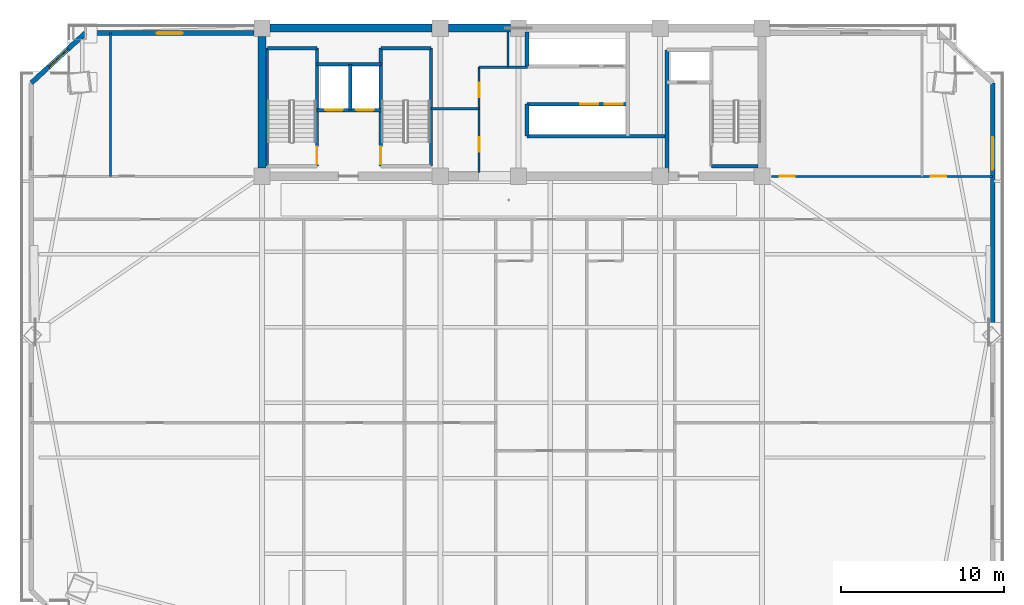
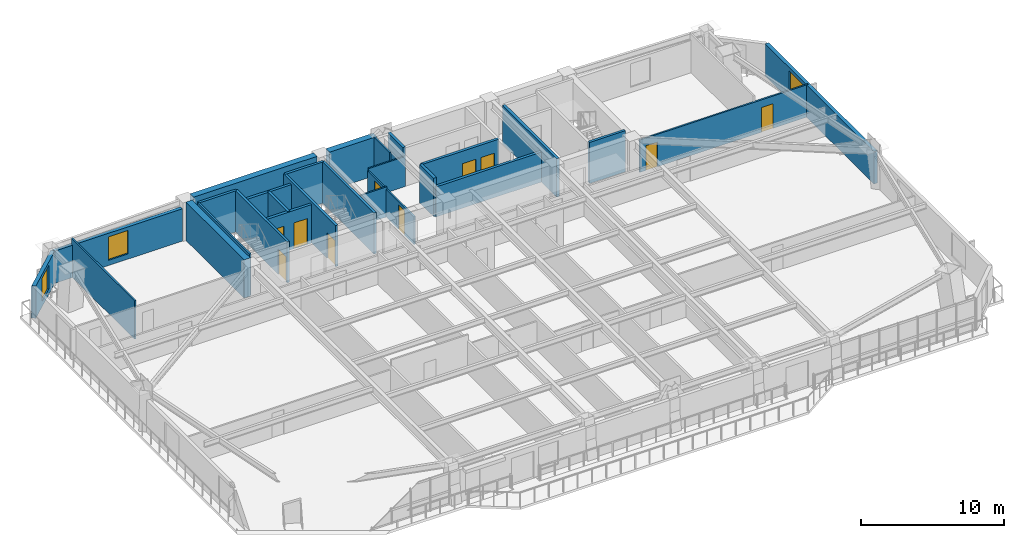
# One storey, part 9 of 16: 27 walls, 10 doors, 3 windows, 13 openings.
"""IFC4 building model written with IfcOpenShell, lengths in metres."""

from ifc_helpers import new_model, si_unit, direction, frame, frame_2d, origin, place, context, subcontext, project, spatial, rectangle, extrude, source, transform, mapped, material, layer, layer_set, type_object, element, fill, save


model = new_model("IFC4")

# Units and contexts
model_context = context("Model", 3, precision=1e-05, world=origin(), true_north=direction((0.0, 1.0)))
body_context = subcontext(model_context, "Body", "Model", "MODEL_VIEW")
ifc_project = project(units=[si_unit("LENGTHUNIT", "METRE"), si_unit("AREAUNIT", "SQUARE_METRE"), si_unit("VOLUMEUNIT", "CUBIC_METRE"), si_unit("PLANEANGLEUNIT", "RADIAN"), si_unit("MASSUNIT", "GRAM", prefix="KILO")], contexts=[model_context])

# Site, building, storey
site_placement = place(None, origin())
site = spatial("IfcSite", under=ifc_project, at=site_placement, CompositionType="ELEMENT")
building_placement = place(site_placement, origin())
building = spatial("IfcBuilding", under=site, at=building_placement, Name="Giltprow Tower", CompositionType="ELEMENT")
storey_placement = place(building_placement, frame((0.0, 0.0, 166.699951171875)))
storey = spatial("IfcBuildingStorey", under=building, at=storey_placement, Name="L41", CompositionType="ELEMENT", Elevation=166.699951171875)

# Wall, opening, window
ifc_material_1 = material(Name="Precast concrete C40", Category="concrete")
ifc_layer_1 = layer(ifc_material_1, 0.300048828125, Name="Precast concrete C40")
ifc_layer_set_1 = layer_set([ifc_layer_1], Name="Precast concrete C40")
wall_type_1 = type_object("IfcWallType", Name="EW-NOTCH-CHAMFER-300", PredefinedType="SOLIDWALL", material=ifc_layer_set_1)
wall_1_placement = place(storey_placement, frame((8.9970703125, 46.25, 0.0), z_axis=(0.0, 0.0, 1.0), x_axis=(-0.734267997056, -0.678859711943, 0.0)))
wall_1 = element("IfcWall", 1, at=wall_1_placement, inside=storey, type_object=wall_type_1, Name="L41 Corner Notch Wall NW", PredefinedType="SOLIDWALL", context=body_context, shape_type="SweptSolid", body=[
    extrude(rectangle(XDim=4.511962890625, YDim=0.300048828125, at=frame_2d((2.255859375, 0.0))), origin(), (0.0, 0.0, 1.0), 2.75),
])
opening_1_placement = place(wall_1_placement, frame((1.4560546875, 0.0, 0.449951171875)))
opening_1 = element("IfcOpeningElement", 2, at=opening_1_placement, cuts=wall_1, Name="Opening WN17", PredefinedType="OPENING", context=body_context, shape_type="SweptSolid", body=[
    extrude(rectangle(XDim=1.60009765625, YDim=2.0, at=frame_2d((0.800048828125, 1.0))), frame((0.0, 0.159912109375, 0.0), z_axis=(0.0, -1.0, 0.0), x_axis=(1.0, 0.0, 0.0)), (0.0, 0.0, 1.0), 0.320068359375),
])
ifc_material_2 = material(Name="Insulated glass", Category="glass")
window_type_1 = type_object("IfcWindowType", Name="WN-COR-1600x2000", PartitioningType="SINGLE_PANEL", PredefinedType="WINDOW", material=ifc_material_2)
shared_shape_1 = source(origin(), body_context, "Body", "SweptSolid", [
    extrude(rectangle(XDim=1.60009765625, YDim=2.0, at=frame_2d((0.800048828125, 1.0))), frame((0.0, 0.030029296875, 0.0), z_axis=(0.0, -1.0, 0.0), x_axis=(1.0, 0.0, 0.0)), (0.0, 0.0, 1.0), 0.06005859375),
])
window_1_placement = place(opening_1_placement, origin())
window_1 = element("IfcWindow", 3, at=window_1_placement, inside=storey, type_object=window_type_1, Name="L41 Corner Notch Window NW", OverallHeight=2.0, OverallWidth=1.60009765625, PartitioningType="SINGLE_PANEL", PredefinedType="WINDOW", context=body_context, shape_type="MappedRepresentation", body=[
    mapped(shared_shape_1, transform((0.0, 0.0, 0.0), x_axis=(1.0, 0.0, 0.0), y_axis=(0.0, 1.0, 0.0), z_axis=(0.0, 0.0, 1.0), scale=1.0)),
])
fill(opening_1, window_1)

ifc_layer_2 = layer(ifc_material_1, 0.280029296875, Name="Precast concrete C40")
ifc_layer_set_2 = layer_set([ifc_layer_2], Name="Precast concrete C40")
wall_type_2 = type_object("IfcWallType", Name="EW-TOW-BRONZE-280", PredefinedType="SOLIDWALL", material=ifc_layer_set_2)
wall_2_placement = place(storey_placement, frame((64.716064453125, 27.9990234375, 0.0), z_axis=(0.0, 0.0, 1.0), x_axis=(0.0, 1.0, 0.0)))
wall_2 = element("IfcWall", 4, at=wall_2_placement, inside=storey, type_object=wall_type_2, Name="L41 E Wing Masonry Wall 2", PredefinedType="SOLIDWALL", context=body_context, shape_type="SweptSolid", body=[
    extrude(rectangle(XDim=15.18798828125, YDim=0.280029296875, at=frame_2d((7.593994140625, 0.0))), origin(), (0.0, 0.0, 1.0), 2.75),
])
opening_2_placement = place(wall_2_placement, frame((9.85595703125, 0.0, 0.449951171875)))
opening_2 = element("IfcOpeningElement", 5, at=opening_2_placement, cuts=wall_2, Name="Opening WN21", PredefinedType="OPENING", context=body_context, shape_type="SweptSolid", body=[
    extrude(rectangle(XDim=2.0, YDim=2.0, at=frame_2d((1.0, 1.0))), frame((0.0, 0.14990234375, 0.0), z_axis=(0.0, -1.0, 0.0), x_axis=(1.0, 0.0, 0.0)), (0.0, 0.0, 1.0), 0.300048828125),
])
window_type_2 = type_object("IfcWindowType", Name="WN-HTL-2000x2000", PartitioningType="DOUBLE_PANEL_VERTICAL", PredefinedType="WINDOW", material=ifc_material_2)
shared_shape_2 = source(origin(), body_context, "Body", "SweptSolid", [
    extrude(rectangle(XDim=2.0, YDim=2.0, at=frame_2d((1.0, 1.0))), frame((0.0, 0.030029296875, 0.0), z_axis=(0.0, -1.0, 0.0), x_axis=(1.0, 0.0, 0.0)), (0.0, 0.0, 1.0), 0.06005859375),
])
window_2_placement = place(opening_2_placement, origin())
window_2 = element("IfcWindow", 6, at=window_2_placement, inside=storey, type_object=window_type_2, Name="L41 E Wing Window 2-1", OverallHeight=2.0, OverallWidth=2.0, PartitioningType="SINGLE_PANEL", PredefinedType="WINDOW", context=body_context, shape_type="MappedRepresentation", body=[
    mapped(shared_shape_2, transform((0.0, 0.0, 0.0), x_axis=(1.0, 0.0, 0.0), y_axis=(0.0, 1.0, 0.0), z_axis=(0.0, 0.0, 1.0), scale=1.0)),
])
fill(opening_2, window_2)

wall_3_placement = place(storey_placement, frame((8.9970703125, 46.25, 0.0), z_axis=(0.0, 0.0, 1.0), x_axis=(1.0, 0.0, 0.0)))
wall_3 = element("IfcWall", 7, at=wall_3_placement, inside=storey, type_object=wall_type_2, Name="L41 North-West Wing Wall", PredefinedType="SOLIDWALL", context=body_context, shape_type="SweptSolid", body=[
    extrude(rectangle(XDim=10.35302734375, YDim=0.280029296875, at=frame_2d((5.176513671875, 0.0))), origin(), (0.0, 0.0, 1.0), 2.75),
])
opening_3_placement = place(wall_3_placement, frame((4.376953125, 0.0, 0.449951171875)))
opening_3 = element("IfcOpeningElement", 8, at=opening_3_placement, cuts=wall_3, Name="Opening WN17", PredefinedType="OPENING", context=body_context, shape_type="SweptSolid", body=[
    extrude(rectangle(XDim=1.60009765625, YDim=2.0, at=frame_2d((0.800048828125, 1.0))), frame((0.0, 0.14990234375, 0.0), z_axis=(0.0, -1.0, 0.0), x_axis=(1.0, 0.0, 0.0)), (0.0, 0.0, 1.0), 0.300048828125),
])
window_3_placement = place(opening_3_placement, origin())
window_3 = element("IfcWindow", 9, at=window_3_placement, inside=storey, type_object=window_type_1, Name="L41 North-West Window", OverallHeight=2.0, OverallWidth=1.60009765625, PartitioningType="SINGLE_PANEL", PredefinedType="WINDOW", context=body_context, shape_type="MappedRepresentation", body=[
    mapped(shared_shape_1, transform((0.0, 0.0, 0.0), x_axis=(1.0, 0.0, 0.0), y_axis=(0.0, 1.0, 0.0), z_axis=(0.0, 0.0, 1.0), scale=1.0)),
])
fill(opening_3, window_3)

# Wall, openings, doors
ifc_material_3 = material(Name="Concrete C40", Category="concrete")
ifc_layer_3 = layer(ifc_material_3, 0.219970703125, Name="Concrete C40")
ifc_layer_set_3 = layer_set([ifc_layer_3], Name="Concrete C40")
wall_type_3 = type_object("IfcWallType", Name="IW-SHAFT-220", PredefinedType="SOLIDWALL", material=ifc_layer_set_3)
wall_4_placement = place(storey_placement, frame((23.219970703125, 41.52001953125, 0.0), z_axis=(0.0, 0.0, 1.0), x_axis=(1.0, 0.0, 0.0)))
wall_4 = element("IfcWall", 10, at=wall_4_placement, inside=storey, type_object=wall_type_3, Name="L41 FFL1 and Service Lift Front Wall", PredefinedType="SOLIDWALL", context=body_context, shape_type="SweptSolid", body=[
    extrude(rectangle(XDim=3.919921875, YDim=0.219970703125, at=frame_2d((1.9599609375, 0.0))), origin(), (0.0, 0.0, 1.0), 3.27001953125),
])
opening_4_placement = place(wall_4_placement, frame((0.5, 0.0, 0.0)))
opening_4 = element("IfcOpeningElement", 11, at=opening_4_placement, cuts=wall_4, Name="Opening LD-11", PredefinedType="OPENING", context=body_context, shape_type="SweptSolid", body=[
    extrude(rectangle(XDim=1.10009765625, YDim=2.199951171875, at=frame_2d((0.550048828125, 1.10009765625))), frame((0.0, 0.119873046875, 0.0), z_axis=(0.0, -1.0, 0.0), x_axis=(1.0, 0.0, 0.0)), (0.0, 0.0, 1.0), 0.239990234375),
])
opening_5_placement = place(wall_4_placement, frame((2.39990234375, 0.0, 0.0)))
opening_5 = element("IfcOpeningElement", 12, at=opening_5_placement, cuts=wall_4, Name="Opening LD-11", PredefinedType="OPENING", context=body_context, shape_type="SweptSolid", body=[
    extrude(rectangle(XDim=1.10009765625, YDim=2.199951171875, at=frame_2d((0.550048828125, 1.10009765625))), frame((0.0, 0.119873046875, 0.0), z_axis=(0.0, -1.0, 0.0), x_axis=(1.0, 0.0, 0.0)), (0.0, 0.0, 1.0), 0.239990234375),
])
ifc_material_4 = material(Name="Stainless steel", Category="steel")
door_type_1 = type_object("IfcDoorType", Name="DR-LIFT-LD1100", OperationType="SLIDING_TO_LEFT", PredefinedType="DOOR", material=ifc_material_4)
shared_shape_3 = source(origin(), body_context, "Body", "SweptSolid", [
    extrude(rectangle(XDim=1.10009765625, YDim=2.199951171875, at=frame_2d((0.550048828125, 1.10009765625))), frame((0.0, 0.02490234375, 0.0), z_axis=(0.0, -1.0, 0.0), x_axis=(1.0, 0.0, 0.0)), (0.0, 0.0, 1.0), 0.050048828125),
])
door_1_placement = place(opening_4_placement, origin())
door_1 = element("IfcDoor", 13, at=door_1_placement, inside=storey, type_object=door_type_1, Name="L41 FFL1 Landing Door", OperationType="SLIDING_TO_LEFT", OverallHeight=2.199951171875, OverallWidth=1.10009765625, PredefinedType="DOOR", context=body_context, shape_type="MappedRepresentation", body=[
    mapped(shared_shape_3, transform((0.0, 0.0, 0.0), x_axis=(1.0, 0.0, 0.0), y_axis=(0.0, 1.0, 0.0), z_axis=(0.0, 0.0, 1.0), scale=1.0)),
])
fill(opening_4, door_1)
door_2_placement = place(opening_5_placement, origin())
door_2 = element("IfcDoor", 14, at=door_2_placement, inside=storey, type_object=door_type_1, Name="L41 SVL1 Landing Door", OperationType="SLIDING_TO_LEFT", OverallHeight=2.199951171875, OverallWidth=1.10009765625, PredefinedType="DOOR", context=body_context, shape_type="MappedRepresentation", body=[
    mapped(shared_shape_3, transform((0.0, 0.0, 0.0), x_axis=(1.0, 0.0, 0.0), y_axis=(0.0, 1.0, 0.0), z_axis=(0.0, 0.0, 1.0), scale=1.0)),
])
fill(opening_5, door_2)

# Walls
wall_5_placement = place(storey_placement, frame((25.260009765625, 41.52001953125, 0.0), z_axis=(0.0, 0.0, 1.0), x_axis=(0.0, 1.0, 0.0)))
element("IfcWall", 15, at=wall_5_placement, inside=storey, type_object=wall_type_3, Name="L41 FFL1-SVL1 Shaft Divider", PredefinedType="SOLIDWALL", context=body_context, shape_type="SweptSolid", body=[
    extrude(rectangle(XDim=2.800048828125, YDim=0.219970703125, at=frame_2d((1.39990234375, 0.0))), origin(), (0.0, 0.0, 1.0), 3.27001953125),
])
wall_6_placement = place(storey_placement, frame((23.219970703125, 44.320068359375, 0.0), z_axis=(0.0, 0.0, 1.0), x_axis=(1.0, 0.0, 0.0)))
element("IfcWall", 16, at=wall_6_placement, inside=storey, type_object=wall_type_3, Name="L41 FFL1-SVL1 Back Shaft Wall", PredefinedType="SOLIDWALL", context=body_context, shape_type="SweptSolid", body=[
    extrude(rectangle(XDim=3.919921875, YDim=0.219970703125, at=frame_2d((1.9599609375, 0.0))), origin(), (0.0, 0.0, 1.0), 3.27001953125),
])
wall_7_placement = place(storey_placement, frame((44.719970703125, 37.679931640625, 0.0), z_axis=(0.0, 0.0, 1.0), x_axis=(0.0, 1.0, 0.0)))
element("IfcWall", 17, at=wall_7_placement, inside=storey, type_object=wall_type_3, Name="L41 East Firefighting Lobby West Wall", PredefinedType="SOLIDWALL", context=body_context, shape_type="SweptSolid", body=[
    extrude(rectangle(XDim=7.5400390625, YDim=0.219970703125, at=frame_2d((3.77001953125, 0.0))), origin(), (0.0, 0.0, 1.0), 3.27001953125),
])

# Wall, openings, doors
wall_8_placement = place(storey_placement, frame((36.1201171875, 41.8798828125, 0.0), z_axis=(0.0, 0.0, 1.0), x_axis=(1.0, 0.0, 0.0)))
wall_8 = element("IfcWall", 18, at=wall_8_placement, inside=storey, type_object=wall_type_3, Name="L41 Mid-Rise Lift Shaft Front Wall S", PredefinedType="SOLIDWALL", context=body_context, shape_type="SweptSolid", body=[
    extrude(rectangle(XDim=6.199951171875, YDim=0.219970703125, at=frame_2d((3.10009765625, 0.0))), origin(), (0.0, 0.0, 1.0), 3.27001953125),
])
opening_6_placement = place(wall_8_placement, frame((3.280029296875, 0.0, 0.0)))
opening_6 = element("IfcOpeningElement", 19, at=opening_6_placement, cuts=wall_8, Name="Opening LD-11", PredefinedType="OPENING", context=body_context, shape_type="SweptSolid", body=[
    extrude(rectangle(XDim=1.10009765625, YDim=2.199951171875, at=frame_2d((0.550048828125, 1.10009765625))), frame((0.0, 0.119873046875, 0.0), z_axis=(0.0, -1.0, 0.0), x_axis=(1.0, 0.0, 0.0)), (0.0, 0.0, 1.0), 0.239990234375),
])
opening_7_placement = place(wall_8_placement, frame((4.77001953125, 0.0, 0.0)))
opening_7 = element("IfcOpeningElement", 20, at=opening_7_placement, cuts=wall_8, Name="Opening LD-11", PredefinedType="OPENING", context=body_context, shape_type="SweptSolid", body=[
    extrude(rectangle(XDim=1.10009765625, YDim=2.199951171875, at=frame_2d((0.550048828125, 1.10009765625))), frame((0.0, 0.119873046875, 0.0), z_axis=(0.0, -1.0, 0.0), x_axis=(1.0, 0.0, 0.0)), (0.0, 0.0, 1.0), 0.239990234375),
])
door_3_placement = place(opening_6_placement, origin())
door_3 = element("IfcDoor", 21, at=door_3_placement, inside=storey, type_object=door_type_1, Name="L41 PL-M3 Landing Door", OperationType="SLIDING_TO_LEFT", OverallHeight=2.199951171875, OverallWidth=1.10009765625, PredefinedType="DOOR", context=body_context, shape_type="MappedRepresentation", body=[
    mapped(shared_shape_3, transform((0.0, 0.0, 0.0), x_axis=(1.0, 0.0, 0.0), y_axis=(0.0, 1.0, 0.0), z_axis=(0.0, 0.0, 1.0), scale=1.0)),
])
fill(opening_6, door_3)
door_4_placement = place(opening_7_placement, origin())
door_4 = element("IfcDoor", 22, at=door_4_placement, inside=storey, type_object=door_type_1, Name="L41 PL-M4 Landing Door", OperationType="SLIDING_TO_LEFT", OverallHeight=2.199951171875, OverallWidth=1.10009765625, PredefinedType="DOOR", context=body_context, shape_type="MappedRepresentation", body=[
    mapped(shared_shape_3, transform((0.0, 0.0, 0.0), x_axis=(1.0, 0.0, 0.0), y_axis=(0.0, 1.0, 0.0), z_axis=(0.0, 0.0, 1.0), scale=1.0)),
])
fill(opening_7, door_4)

# Walls
wall_9_placement = place(storey_placement, frame((36.1201171875, 39.919921875, 0.0), z_axis=(0.0, 0.0, 1.0), x_axis=(1.0, 0.0, 0.0)))
element("IfcWall", 23, at=wall_9_placement, inside=storey, type_object=wall_type_3, Name="L41 Mid-Rise South Lift Back Wall", PredefinedType="SOLIDWALL", context=body_context, shape_type="SweptSolid", body=[
    extrude(rectangle(XDim=8.599853515625, YDim=0.219970703125, at=frame_2d((4.2998046875, 0.0))), origin(), (0.0, 0.0, 1.0), 2.554931640625),
])
wall_10_placement = place(storey_placement, frame((36.1201171875, 39.919921875, 0.0), z_axis=(0.0, 0.0, 1.0), x_axis=(0.0, 1.0, 0.0)))
element("IfcWall", 24, at=wall_10_placement, inside=storey, type_object=wall_type_3, Name="L41 Mid-Rise South Lift West Closure", PredefinedType="SOLIDWALL", context=body_context, shape_type="SweptSolid", body=[
    extrude(rectangle(XDim=1.9599609375, YDim=0.219970703125, at=frame_2d((0.97998046875, 0.0))), origin(), (0.0, 0.0, 1.0), 3.27001953125),
])
wall_11_placement = place(storey_placement, frame((36.1201171875, 44.219970703125, 0.0), z_axis=(0.0, 0.0, 1.0), x_axis=(0.0, 1.0, 0.0)))
element("IfcWall", 25, at=wall_11_placement, inside=storey, type_object=wall_type_3, Name="L41 Mid-Rise North Lift West Closure", PredefinedType="SOLIDWALL", context=body_context, shape_type="SweptSolid", body=[
    extrude(rectangle(XDim=2.10009765625, YDim=0.219970703125, at=frame_2d((1.050048828125, 0.0))), origin(), (0.0, 0.0, 1.0), 3.27001953125),
])
ifc_material_5 = material(Name="Concrete C45", Category="concrete")
ifc_layer_4 = layer(ifc_material_5, 0.139892578125, Name="Concrete C45")
ifc_layer_set_4 = layer_set([ifc_layer_4], Name="Concrete C45")
wall_type_4 = type_object("IfcWallType", Name="IW-STAIR-140", PredefinedType="SOLIDWALL", material=ifc_layer_set_4)
wall_12_placement = place(storey_placement, frame((20.169921875, 38.070068359375, 0.0), z_axis=(0.0, 0.0, 1.0), x_axis=(0.0, 1.0, 0.0)))
element("IfcWall", 26, at=wall_12_placement, inside=storey, type_object=wall_type_4, Name="L41 Stair ST-1 West Bearing Wall", PredefinedType="SOLIDWALL", context=body_context, shape_type="SweptSolid", body=[
    extrude(rectangle(XDim=7.25, YDim=0.139892578125, at=frame_2d((3.625, 0.0))), origin(), (0.0, 0.0, 1.0), 3.5),
])

# Wall, opening, door
ifc_layer_5 = layer(ifc_material_3, 0.199951171875, Name="Concrete C40")
ifc_layer_set_5 = layer_set([ifc_layer_5], Name="Concrete C40")
wall_type_5 = type_object("IfcWallType", Name="IW-STAIR-200", PredefinedType="SOLIDWALL", material=ifc_layer_set_5)
wall_13_placement = place(storey_placement, frame((23.219970703125, 38.070068359375, 0.0), z_axis=(0.0, 0.0, 1.0), x_axis=(0.0, 1.0, 0.0)))
wall_13 = element("IfcWall", 27, at=wall_13_placement, inside=storey, type_object=wall_type_5, Name="L41 Stair ST-1 East Bearing Wall", PredefinedType="SOLIDWALL", context=body_context, shape_type="SweptSolid", body=[
    extrude(rectangle(XDim=7.25, YDim=0.199951171875, at=frame_2d((3.625, 0.0))), origin(), (0.0, 0.0, 1.0), 3.5),
])
opening_8_placement = place(wall_13_placement, frame((0.110107421875, 0.0, 0.0)))
opening_8 = element("IfcOpeningElement", 28, at=opening_8_placement, cuts=wall_13, Name="Opening ID33", PredefinedType="OPENING", context=body_context, shape_type="SweptSolid", body=[
    extrude(rectangle(XDim=1.10009765625, YDim=2.14990234375, at=frame_2d((0.550048828125, 1.074951171875))), frame((0.0, 0.10986328125, 0.0), z_axis=(0.0, -1.0, 0.0), x_axis=(1.0, 0.0, 0.0)), (0.0, 0.0, 1.0), 0.219970703125),
])
ifc_material_6 = material(Name="Steel fire leaf", Category="steel")
door_type_2 = type_object("IfcDoorType", Name="DR-STAIR-1100", OperationType="SINGLE_SWING_LEFT", PredefinedType="DOOR", material=ifc_material_6)
shared_shape_4 = source(origin(), body_context, "Body", "SweptSolid", [
    extrude(rectangle(XDim=1.10009765625, YDim=2.14990234375, at=frame_2d((0.550048828125, 1.074951171875))), frame((0.0, 0.02490234375, 0.0), z_axis=(0.0, -1.0, 0.0), x_axis=(1.0, 0.0, 0.0)), (0.0, 0.0, 1.0), 0.050048828125),
])
door_5_placement = place(opening_8_placement, origin())
door_5 = element("IfcDoor", 29, at=door_5_placement, inside=storey, type_object=door_type_2, Name="L41 Stair ST-1 Fire Door", OperationType="SINGLE_SWING_RIGHT", OverallHeight=2.14990234375, OverallWidth=1.10009765625, PredefinedType="DOOR", context=body_context, shape_type="MappedRepresentation", body=[
    mapped(shared_shape_4, transform((0.0, 0.0, 0.0), x_axis=(1.0, 0.0, 0.0), y_axis=(0.0, 1.0, 0.0), z_axis=(0.0, 0.0, 1.0), scale=1.0)),
])
fill(opening_8, door_5)

# Wall
wall_14_placement = place(storey_placement, frame((20.169921875, 45.320068359375, 0.0), z_axis=(0.0, 0.0, 1.0), x_axis=(1.0, 0.0, 0.0)))
element("IfcWall", 30, at=wall_14_placement, inside=storey, type_object=wall_type_5, Name="L41 Stair ST-1 North Bearing Wall", PredefinedType="SOLIDWALL", context=body_context, shape_type="SweptSolid", body=[
    extrude(rectangle(XDim=3.050048828125, YDim=0.199951171875, at=frame_2d((1.52490234375, 0.0))), origin(), (0.0, 0.0, 1.0), 3.5),
])

# Wall, opening, door
wall_15_placement = place(storey_placement, frame((27.139892578125, 38.070068359375, 0.0), z_axis=(0.0, 0.0, 1.0), x_axis=(0.0, 1.0, 0.0)))
wall_15 = element("IfcWall", 31, at=wall_15_placement, inside=storey, type_object=wall_type_5, Name="L41 Stair ST-2 West Bearing Wall", PredefinedType="SOLIDWALL", context=body_context, shape_type="SweptSolid", body=[
    extrude(rectangle(XDim=7.25, YDim=0.199951171875, at=frame_2d((3.625, 0.0))), origin(), (0.0, 0.0, 1.0), 3.5),
])
opening_9_placement = place(wall_15_placement, frame((0.110107421875, 0.0, 0.0)))
opening_9 = element("IfcOpeningElement", 32, at=opening_9_placement, cuts=wall_15, Name="Opening ID33", PredefinedType="OPENING", context=body_context, shape_type="SweptSolid", body=[
    extrude(rectangle(XDim=1.10009765625, YDim=2.14990234375, at=frame_2d((0.550048828125, 1.074951171875))), frame((0.0, 0.10986328125, 0.0), z_axis=(0.0, -1.0, 0.0), x_axis=(1.0, 0.0, 0.0)), (0.0, 0.0, 1.0), 0.219970703125),
])
door_6_placement = place(opening_9_placement, origin())
door_6 = element("IfcDoor", 33, at=door_6_placement, inside=storey, type_object=door_type_2, Name="L41 Stair ST-2 Fire Door", OperationType="SINGLE_SWING_LEFT", OverallHeight=2.14990234375, OverallWidth=1.10009765625, PredefinedType="DOOR", context=body_context, shape_type="MappedRepresentation", body=[
    mapped(shared_shape_4, transform((0.0, 0.0, 0.0), x_axis=(1.0, 0.0, 0.0), y_axis=(0.0, 1.0, 0.0), z_axis=(0.0, 0.0, 1.0), scale=1.0)),
])
fill(opening_9, door_6)

# Walls
wall_16_placement = place(storey_placement, frame((30.219970703125, 38.070068359375, 0.0), z_axis=(0.0, 0.0, 1.0), x_axis=(0.0, 1.0, 0.0)))
element("IfcWall", 34, at=wall_16_placement, inside=storey, type_object=wall_type_5, Name="L41 Stair ST-2 East Bearing Wall", PredefinedType="SOLIDWALL", context=body_context, shape_type="SweptSolid", body=[
    extrude(rectangle(XDim=7.25, YDim=0.199951171875, at=frame_2d((3.625, 0.0))), origin(), (0.0, 0.0, 1.0), 3.5),
])
wall_17_placement = place(storey_placement, frame((27.139892578125, 45.320068359375, 0.0), z_axis=(0.0, 0.0, 1.0), x_axis=(1.0, 0.0, 0.0)))
element("IfcWall", 35, at=wall_17_placement, inside=storey, type_object=wall_type_5, Name="L41 Stair ST-2 North Bearing Wall", PredefinedType="SOLIDWALL", context=body_context, shape_type="SweptSolid", body=[
    extrude(rectangle(XDim=3.080078125, YDim=0.199951171875, at=frame_2d((1.5400390625, 0.0))), origin(), (0.0, 0.0, 1.0), 3.5),
])
wall_18_placement = place(storey_placement, frame((47.43994140625, 38.070068359375, 0.0), z_axis=(0.0, 0.0, 1.0), x_axis=(1.0, 0.0, 0.0)))
element("IfcWall", 36, at=wall_18_placement, inside=storey, type_object=wall_type_5, Name="L41 Stair ST-3 South Bearing Wall", PredefinedType="SOLIDWALL", context=body_context, shape_type="SweptSolid", body=[
    extrude(rectangle(XDim=2.880126953125, YDim=0.199951171875, at=frame_2d((1.43994140625, 0.0))), origin(), (0.0, 0.0, 1.0), 3.5),
])

# Wall, openings, doors
ifc_material_7 = material(Name="Concrete C30", Category="concrete")
ifc_layer_6 = layer(ifc_material_7, 0.1298828125, Name="Concrete C30")
ifc_layer_set_6 = layer_set([ifc_layer_6], Name="Concrete C30")
wall_type_6 = type_object("IfcWallType", Name="IW-WET-130", PredefinedType="PARTITIONING", material=ifc_layer_set_6)
wall_19_placement = place(storey_placement, frame((33.179931640625, 37.679931640625, 0.0), z_axis=(0.0, 0.0, 1.0), x_axis=(0.0, 1.0, 0.0)))
wall_19 = element("IfcWall", 37, at=wall_19_placement, inside=storey, type_object=wall_type_6, Name="L41 Reclaimed Core Room East Wall", PredefinedType="PARTITIONING", context=body_context, shape_type="SweptSolid", body=[
    extrude(rectangle(XDim=6.469970703125, YDim=0.1298828125, at=frame_2d((3.23486328125, 0.0))), origin(), (0.0, 0.0, 1.0), 2.35498046875),
])
opening_10_placement = place(wall_19_placement, frame((1.27001953125, 0.0, 0.0)))
opening_10 = element("IfcOpeningElement", 38, at=opening_10_placement, cuts=wall_19, Name="Opening ID35", PredefinedType="OPENING", context=body_context, shape_type="SweptSolid", body=[
    extrude(rectangle(XDim=0.89990234375, YDim=2.10009765625, at=frame_2d((0.449951171875, 1.050048828125))), frame((0.0, 0.074951171875, 0.0), z_axis=(0.0, -1.0, 0.0), x_axis=(1.0, 0.0, 0.0)), (0.0, 0.0, 1.0), 0.14990234375),
])
opening_11_placement = place(wall_19_placement, frame((4.6201171875, 0.0, 0.0)))
opening_11 = element("IfcOpeningElement", 39, at=opening_11_placement, cuts=wall_19, Name="Opening ID35", PredefinedType="OPENING", context=body_context, shape_type="SweptSolid", body=[
    extrude(rectangle(XDim=0.89990234375, YDim=2.10009765625, at=frame_2d((0.449951171875, 1.050048828125))), frame((0.0, 0.074951171875, 0.0), z_axis=(0.0, -1.0, 0.0), x_axis=(1.0, 0.0, 0.0)), (0.0, 0.0, 1.0), 0.14990234375),
])
door_type_3 = type_object("IfcDoorType", Name="DR-SHAFT-900", OperationType="SINGLE_SWING_LEFT", PredefinedType="DOOR", material=ifc_material_6)
shared_shape_5 = source(origin(), body_context, "Body", "SweptSolid", [
    extrude(rectangle(XDim=0.89990234375, YDim=2.10009765625, at=frame_2d((0.449951171875, 1.050048828125))), frame((0.0, 0.02490234375, 0.0), z_axis=(0.0, -1.0, 0.0), x_axis=(1.0, 0.0, 0.0)), (0.0, 0.0, 1.0), 0.050048828125),
])
door_7_placement = place(opening_10_placement, origin())
door_7 = element("IfcDoor", 40, at=door_7_placement, inside=storey, type_object=door_type_3, Name="L41 Housekeeping Room Door", OperationType="SINGLE_SWING_LEFT", OverallHeight=2.10009765625, OverallWidth=0.89990234375, PredefinedType="DOOR", context=body_context, shape_type="MappedRepresentation", body=[
    mapped(shared_shape_5, transform((0.0, 0.0, 0.0), x_axis=(1.0, 0.0, 0.0), y_axis=(0.0, 1.0, 0.0), z_axis=(0.0, 0.0, 1.0), scale=1.0)),
])
fill(opening_10, door_7)
door_8_placement = place(opening_11_placement, origin())
door_8 = element("IfcDoor", 41, at=door_8_placement, inside=storey, type_object=door_type_3, Name="L41 Core Staff Washroom Door", OperationType="SINGLE_SWING_RIGHT", OverallHeight=2.10009765625, OverallWidth=0.89990234375, PredefinedType="DOOR", context=body_context, shape_type="MappedRepresentation", body=[
    mapped(shared_shape_5, transform((0.0, 0.0, 0.0), x_axis=(1.0, 0.0, 0.0), y_axis=(0.0, 1.0, 0.0), z_axis=(0.0, 0.0, 1.0), scale=1.0)),
])
fill(opening_11, door_8)

# Walls
wall_20_placement = place(storey_placement, frame((34.949951171875, 44.14990234375, 0.0), z_axis=(0.0, 0.0, 1.0), x_axis=(0.0, 1.0, 0.0)))
element("IfcWall", 42, at=wall_20_placement, inside=storey, type_object=wall_type_6, Name="L41 Reclaimed North Pocket East Wall", PredefinedType="PARTITIONING", context=body_context, shape_type="SweptSolid", body=[
    extrude(rectangle(XDim=2.170166015625, YDim=0.1298828125, at=frame_2d((1.0849609375, 0.0))), origin(), (0.0, 0.0, 1.0), 3.27001953125),
])
wall_21_placement = place(storey_placement, frame((33.179931640625, 44.14990234375, 0.0), z_axis=(0.0, 0.0, 1.0), x_axis=(1.0, 0.0, 0.0)))
element("IfcWall", 43, at=wall_21_placement, inside=storey, type_object=wall_type_6, Name="L41 Reclaimed North Pocket South Wall", PredefinedType="PARTITIONING", context=body_context, shape_type="SweptSolid", body=[
    extrude(rectangle(XDim=2.969970703125, YDim=0.1298828125, at=frame_2d((1.48486328125, 0.0))), origin(), (0.0, 0.0, 1.0), 2.554931640625),
])
wall_22_placement = place(storey_placement, frame((30.219970703125, 41.60009765625, 0.0), z_axis=(0.0, 0.0, 1.0), x_axis=(1.0, 0.0, 0.0)))
element("IfcWall", 44, at=wall_22_placement, inside=storey, type_object=wall_type_6, Name="L41 Core Housekeeping Split", PredefinedType="PARTITIONING", context=body_context, shape_type="SweptSolid", body=[
    extrude(rectangle(XDim=2.9599609375, YDim=0.1298828125, at=frame_2d((1.47998046875, 0.0))), origin(), (0.0, 0.0, 1.0), 2.554931640625),
])
wall_23_placement = place(storey_placement, frame((10.550048828125, 37.449951171875, 0.0), z_axis=(0.0, 0.0, 1.0), x_axis=(0.0, 1.0, 0.0)))
element("IfcWall", 45, at=wall_23_placement, inside=storey, type_object=wall_type_6, Name="L41 NW Wing Divider", PredefinedType="PARTITIONING", context=body_context, shape_type="SweptSolid", body=[
    extrude(rectangle(XDim=8.800048828125, YDim=0.1298828125, at=frame_2d((4.39990234375, 0.0))), origin(), (0.0, 0.0, 1.0), 3.27001953125),
])

# Wall, openings, doors
wall_24_placement = place(storey_placement, frame((51.14990234375, 37.449951171875, 0.0), z_axis=(0.0, 0.0, 1.0), x_axis=(1.0, 0.0, 0.0)))
wall_24 = element("IfcWall", 46, at=wall_24_placement, inside=storey, type_object=wall_type_6, Name="L41 NE Wing South Wall", PredefinedType="PARTITIONING", context=body_context, shape_type="SweptSolid", body=[
    extrude(rectangle(XDim=13.566162109375, YDim=0.1298828125, at=frame_2d((6.783203125, 0.0))), origin(), (0.0, 0.0, 1.0), 2.755126953125),
])
opening_12_placement = place(wall_24_placement, frame((0.5, 0.0, 0.0)))
opening_12 = element("IfcOpeningElement", 47, at=opening_12_placement, cuts=wall_24, Name="Opening ID15", PredefinedType="OPENING", context=body_context, shape_type="SweptSolid", body=[
    extrude(rectangle(XDim=0.89990234375, YDim=2.10009765625, at=frame_2d((0.449951171875, 1.050048828125))), frame((0.0, 0.074951171875, 0.0), z_axis=(0.0, -1.0, 0.0), x_axis=(1.0, 0.0, 0.0)), (0.0, 0.0, 1.0), 0.14990234375),
])
opening_13_placement = place(wall_24_placement, frame((9.77197265625, 0.0, 0.0)))
opening_13 = element("IfcOpeningElement", 48, at=opening_13_placement, cuts=wall_24, Name="Opening ID11", PredefinedType="OPENING", context=body_context, shape_type="SweptSolid", body=[
    extrude(rectangle(XDim=0.949951171875, YDim=2.10009765625, at=frame_2d((0.47509765625, 1.050048828125))), frame((0.0, 0.074951171875, 0.0), z_axis=(0.0, -1.0, 0.0), x_axis=(1.0, 0.0, 0.0)), (0.0, 0.0, 1.0), 0.14990234375),
])
ifc_material_8 = material(Name="Engineered timber", Category="wood")
door_type_4 = type_object("IfcDoorType", Name="DR-WC-900", OperationType="SINGLE_SWING_LEFT", PredefinedType="DOOR", material=ifc_material_8)
door_9_placement = place(opening_12_placement, origin())
door_9 = element("IfcDoor", 49, at=door_9_placement, inside=storey, type_object=door_type_4, Name="L41 East Wing Washroom Door", OperationType="SINGLE_SWING_RIGHT", OverallHeight=2.10009765625, OverallWidth=0.89990234375, PredefinedType="DOOR", context=body_context, shape_type="MappedRepresentation", body=[
    mapped(shared_shape_5, transform((0.0, 0.0, 0.0), x_axis=(1.0, 0.0, 0.0), y_axis=(0.0, 1.0, 0.0), z_axis=(0.0, 0.0, 1.0), scale=1.0)),
])
fill(opening_12, door_9)
door_type_5 = type_object("IfcDoorType", Name="DR-ROOM-950", OperationType="SINGLE_SWING_RIGHT", PredefinedType="DOOR", material=ifc_material_8)
shared_shape_6 = source(origin(), body_context, "Body", "SweptSolid", [
    extrude(rectangle(XDim=0.949951171875, YDim=2.10009765625, at=frame_2d((0.47509765625, 1.050048828125))), frame((0.0, 0.02490234375, 0.0), z_axis=(0.0, -1.0, 0.0), x_axis=(1.0, 0.0, 0.0)), (0.0, 0.0, 1.0), 0.050048828125),
])
door_10_placement = place(opening_13_placement, origin())
door_10 = element("IfcDoor", 50, at=door_10_placement, inside=storey, type_object=door_type_5, Name="L41 Hotel Floor Linen Store Door", OperationType="SINGLE_SWING_RIGHT", OverallHeight=2.10009765625, OverallWidth=0.949951171875, PredefinedType="DOOR", context=body_context, shape_type="MappedRepresentation", body=[
    mapped(shared_shape_6, transform((0.0, 0.0, 0.0), x_axis=(1.0, 0.0, 0.0), y_axis=(0.0, 1.0, 0.0), z_axis=(0.0, 0.0, 1.0), scale=1.0)),
])
fill(opening_13, door_10)

# Walls
ifc_material_9 = material(Name="Concrete C50", Category="concrete")
ifc_layer_7 = layer(ifc_material_9, 0.5, Name="Concrete C50")
ifc_layer_set_7 = layer_set([ifc_layer_7], Name="Concrete C50")
wall_type_7 = type_object("IfcWallType", Name="SW-EXT-500-C50", PredefinedType="SHEAR", material=ifc_layer_set_7)
wall_25_placement = place(storey_placement, frame((20.35009765625, 46.550048828125, 0.0), z_axis=(0.0, 0.0, 1.0), x_axis=(1.0, 0.0, 0.0)))
element("IfcWall", 51, at=wall_25_placement, inside=storey, type_object=wall_type_7, Name="L41 North Rear Core Shear Wall 1", PredefinedType="SHEAR", context=body_context, shape_type="SweptSolid", body=[
    extrude(rectangle(XDim=9.949951171875, YDim=0.5, at=frame_2d((4.97509765625, 0.0))), origin(), (0.0, 0.0, 1.0), 3.27001953125),
])
wall_26_placement = place(storey_placement, frame((31.300048828125, 46.550048828125, 0.0), z_axis=(0.0, 0.0, 1.0), x_axis=(1.0, 0.0, 0.0)))
element("IfcWall", 52, at=wall_26_placement, inside=storey, type_object=wall_type_7, Name="L41 North Rear Core Shear Wall 2", PredefinedType="SHEAR", context=body_context, shape_type="SweptSolid", body=[
    extrude(rectangle(XDim=3.800048828125, YDim=0.5, at=frame_2d((1.89990234375, 0.0))), origin(), (0.0, 0.0, 1.0), 3.27001953125),
])
ifc_layer_8 = layer(ifc_material_9, 0.5, Name="Concrete C50")
ifc_layer_set_8 = layer_set([ifc_layer_8], Name="Concrete C50")
wall_type_8 = type_object("IfcWallType", Name="SW-INT-500-C50", PredefinedType="SHEAR", material=ifc_layer_set_8)
wall_27_placement = place(storey_placement, frame((19.85009765625, 37.949951171875, 0.0), z_axis=(0.0, 0.0, 1.0), x_axis=(0.0, 1.0, 0.0)))
element("IfcWall", 53, at=wall_27_placement, inside=storey, type_object=wall_type_8, Name="L41 W Rear Core Shear Wall", PredefinedType="SHEAR", context=body_context, shape_type="SweptSolid", body=[
    extrude(rectangle(XDim=8.10009765625, YDim=0.5, at=frame_2d((4.050048828125, 0.0))), origin(), (0.0, 0.0, 1.0), 3.27001953125),
])

save(model, "model.ifc")
